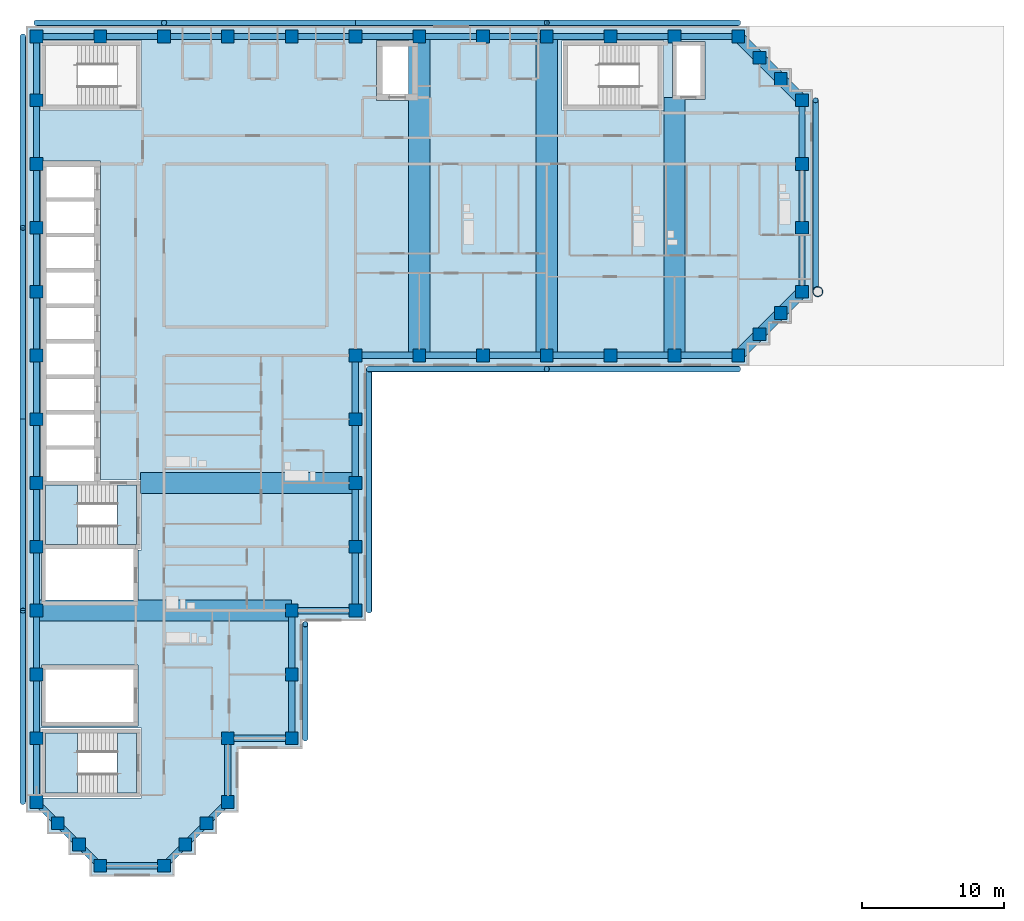
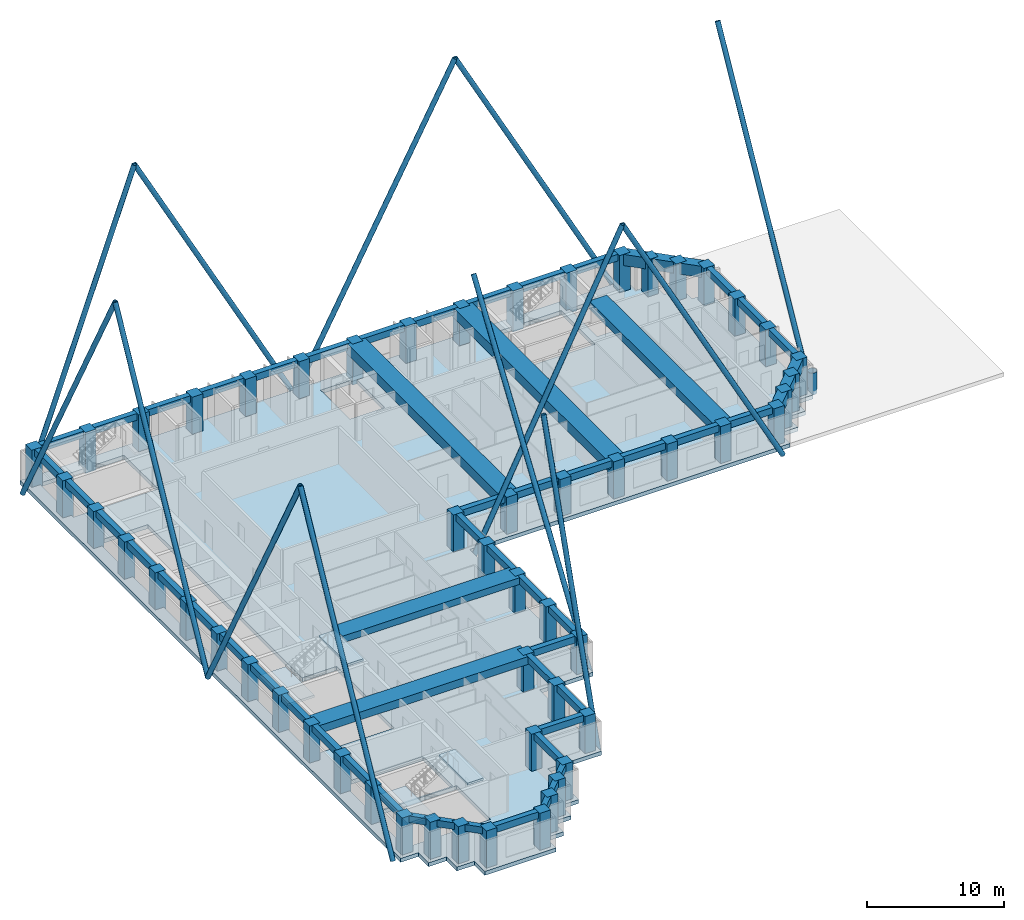
# One storey, part 1 of 11: 59 beams, 54 columns, 14 members, 5 slabs, 2 elements without a shape of their own.
"""IFC4 building model written with IfcOpenShell, lengths in metres."""

from ifc_helpers import new_model, si_unit, direction, frame, origin, origin_2d, place, context, subcontext, project, spatial, polyline, rectangle, hollow_circle, outline, extrude, material, layer, layer_set, material_profile, profile_set, type_object, element, aggregate, save


model = new_model("IFC4")

# Units and contexts
model_context = context("Model", 3, precision=1e-05, world=origin(), true_north=direction((0.0, 1.0)))
body_context = subcontext(model_context, "Body", "Model", "MODEL_VIEW")
ifc_project = project(units=[si_unit("LENGTHUNIT", "METRE"), si_unit("AREAUNIT", "SQUARE_METRE"), si_unit("VOLUMEUNIT", "CUBIC_METRE"), si_unit("PLANEANGLEUNIT", "RADIAN"), si_unit("MASSUNIT", "GRAM", prefix="KILO")], contexts=[model_context])

# Site, building, storey
site_placement = place(None, origin())
site = spatial("IfcSite", under=ifc_project, at=site_placement, CompositionType="ELEMENT")
building_placement = place(site_placement, origin())
building = spatial("IfcBuilding", under=site, at=building_placement, Name="Firuza Court", CompositionType="ELEMENT")
storey_placement = place(building_placement, frame((0.0, 0.0, 186.199951171875)))
storey = spatial("IfcBuildingStorey", under=building, at=storey_placement, Name="L47", CompositionType="ELEMENT", Elevation=186.199951171875)

# Columns
ifc_material_1 = material(Name="Concrete C50/60", Category="concrete")
ifc_material_profile_1 = material_profile(ifc_material_1, rectangle(XDim=0.89990234375, YDim=0.89990234375, at=origin_2d()), Name="RC 900x900")
ifc_profile_set_1 = profile_set([ifc_material_profile_1], Name="Concrete C50/60")
column_type = type_object("IfcColumnType", Name="Tube column RC 900x900 C50/60", PredefinedType="COLUMN", material=ifc_profile_set_1)
for number, where, z_axis, x_axis, name in (
    (1, (4.5, 0.0, -0.349853515625), (0.0, 0.0, 1.0), (1.0, 0.0, 0.0), "Column C-2D L47"),
    (2, (9.0, 0.0, -0.349853515625), (0.0, 0.0, 1.0), (1.0, 0.0, 0.0), "Column C-3D L47"),
    (3, (3.0, 1.5, -0.349853515625), (0.0, 0.0, 1.0), (1.0, 0.0, 0.0), "Column C-SA1 L47"),
    (4, (10.5, 1.5, -0.349853515625), (0.0, 0.0, 1.0), (1.0, 0.0, 0.0), "Column C-SA2 L47"),
    (5, (1.5, 3.0, -0.349853515625), (0.0, 0.0, 1.0), (1.0, 0.0, 0.0), "Column C-SA3 L47"),
    (6, (12.0, 3.0, -0.349853515625), (0.0, 0.0, 1.0), (1.0, 0.0, 0.0), "Column C-SA4 L47"),
    (7, (0.0, 4.5, -0.349853515625), (0.0, 0.0, 1.0), (1.0, 0.0, 0.0), "Column C-1E L47"),
    (8, (13.5, 4.5, -0.349853515625), (0.0, 0.0, 1.0), (1.0, 0.0, 0.0), "Column C-4E L47"),
    (9, (0.0, 9.0, -0.349853515625), (0.0, 0.0, 1.0), (1.0, 0.0, 0.0), "Column C-1F L47"),
    (10, (13.5, 9.0, -0.349853515625), (0.0, 0.0, 1.0), (1.0, 0.0, 0.0), "Column C-4F L47"),
    (11, (18.0, 9.0, -0.349853515625), (0.0, 0.0, 1.0), (1.0, 0.0, 0.0), "Column C-5F L47"),
    (12, (0.0, 13.5, -0.349853515625), (0.0, 0.0, 1.0), (1.0, 0.0, 0.0), "Column C-1G L47"),
    (13, (18.0, 13.5, -0.349853515625), (0.0, 0.0, 1.0), (1.0, 0.0, 0.0), "Column C-5G L47"),
    (14, (0.0, 18.0, -0.349853515625), (0.0, 0.0, 1.0), (1.0, 0.0, 0.0), "Column C-1H L47"),
    (15, (18.0, 18.0, -0.349853515625), (0.0, 0.0, 1.0), (1.0, 0.0, 0.0), "Column C-5H L47"),
    (16, (22.5, 18.0, -0.349853515625), (0.0, 0.0, 1.0), (1.0, 0.0, 0.0), "Column C-6H L47"),
    (17, (0.0, 22.5, -0.349853515625), (0.0, 0.0, 1.0), (1.0, 0.0, 0.0), "Column C-1J L47"),
    (18, (22.5, 22.5, -0.349853515625), (0.0, 0.0, 1.0), (1.0, 0.0, 0.0), "Column C-6J L47"),
    (19, (0.0, 27.0, -0.349853515625), (0.0, 0.0, 1.0), (1.0, 0.0, 0.0), "Column C-1K L47"),
    (20, (22.5, 27.0, -0.349853515625), (0.0, 0.0, 1.0), (1.0, 0.0, 0.0), "Column C-6K L47"),
    (21, (0.0, 31.5, -0.349853515625), (0.0, 0.0, 1.0), (1.0, 0.0, 0.0), "Column C-1L L47"),
    (22, (22.5, 31.5, -0.349853515625), (0.0, 0.0, 1.0), (1.0, 0.0, 0.0), "Column C-6L L47"),
    (23, (0.0, 36.0, -0.349853515625), (0.0, 0.0, 1.0), (1.0, 0.0, 0.0), "Column C-1M L47"),
    (24, (22.5, 36.0, -0.349853515625), (0.0, 0.0, 1.0), (1.0, 0.0, 0.0), "Column C-6M L47"),
    (25, (27.0, 36.0, -0.349853515625), (0.0, 0.0, 1.0), (1.0, 0.0, 0.0), "Column C-7M L47"),
    (26, (31.5, 36.0, -0.349853515625), (0.0, 0.0, 1.0), (1.0, 0.0, 0.0), "Column C-8M L47"),
    (27, (36.0, 36.0, -0.349853515625), (0.0, 0.0, 1.0), (1.0, 0.0, 0.0), "Column C-9M L47"),
    (28, (40.5, 36.0, -0.349853515625), (0.0, 0.0, 1.0), (1.0, 0.0, 0.0), "Column C-10M L47"),
    (29, (45.0, 36.0, -0.349853515625), (0.0, 0.0, 1.0), (1.0, 0.0, 0.0), "Column C-11M L47"),
    (30, (49.5, 36.0, -0.349853515625), (0.0, 0.0, 1.0), (1.0, 0.0, 0.0), "Column C-12M L47"),
    (31, (51.0, 37.5, -0.349853515625), (0.0, 0.0, 1.0), (1.0, 0.0, 0.0), "Column C-SA5 L47"),
    (32, (52.5, 39.0, -0.349853515625), (0.0, 0.0, 1.0), (1.0, 0.0, 0.0), "Column C-SA6 L47"),
    (33, (0.0, 40.5, -0.349853515625), (0.0, 0.0, 1.0), (1.0, 0.0, 0.0), "Column C-1N L47"),
    (34, (54.0, 40.5, -0.349853515625), (0.0, 0.0, 1.0), (1.0, 0.0, 0.0), "Column C-13N L47"),
    (35, (0.0, 45.0, -0.349853515625), (0.0, 0.0, 1.0), (1.0, 0.0, 0.0), "Column C-1P L47"),
    (36, (54.0, 45.0, -0.349853515625), (0.0, 0.0, 1.0), (1.0, 0.0, 0.0), "Column C-13P L47"),
    (37, (0.0, 49.5, -0.349853515625), (0.0, 0.0, 1.0), (1.0, 0.0, 0.0), "Column C-1Q L47"),
    (38, (54.0, 49.5, -0.349853515625), (0.0, 0.0, 1.0), (1.0, 0.0, 0.0), "Column C-13Q L47"),
    (39, (0.0, 54.0, -0.349853515625), (0.0, 0.0, 1.0), (1.0, 0.0, 0.0), "Column C-1R L47"),
    (40, (54.0, 54.0, -0.349853515625), (0.0, 0.0, 1.0), (1.0, 0.0, 0.0), "Column C-13R L47"),
    (41, (52.5, 55.5, -0.349853515625), (0.0, 0.0, 1.0), (1.0, 0.0, 0.0), "Column C-SA7 L47"),
    (42, (51.0, 57.0, -0.349853515625), (0.0, 0.0, 1.0), (1.0, 0.0, 0.0), "Column C-SA8 L47"),
    (43, (0.0, 58.5, -0.349853515625), (0.0, 0.0, 1.0), (1.0, 0.0, 0.0), "Column C-1S L47"),
    (44, (4.5, 58.5, -0.349853515625), (0.0, 0.0, 1.0), (1.0, 0.0, 0.0), "Column C-2S L47"),
    (45, (9.0, 58.5, -0.349853515625), (0.0, 0.0, 1.0), (1.0, 0.0, 0.0), "Column C-3S L47"),
    (46, (13.5, 58.5, -0.349853515625), (0.0, 0.0, 1.0), (1.0, 0.0, 0.0), "Column C-4S L47"),
    (47, (18.0, 58.5, -0.349853515625), (0.0, 0.0, 1.0), (1.0, 0.0, 0.0), "Column C-5S L47"),
    (48, (22.5, 58.5, -0.349853515625), (0.0, 0.0, 1.0), (1.0, 0.0, 0.0), "Column C-6S L47"),
    (49, (27.0, 58.5, -0.349853515625), (0.0, 0.0, 1.0), (1.0, 0.0, 0.0), "Column C-7S L47"),
    (50, (31.5, 58.5, -0.349853515625), (0.0, 0.0, 1.0), (1.0, 0.0, 0.0), "Column C-8S L47"),
    (51, (36.0, 58.5, -0.349853515625), (0.0, 0.0, 1.0), (1.0, 0.0, 0.0), "Column C-9S L47"),
    (52, (40.5, 58.5, -0.349853515625), (0.0, 0.0, 1.0), (1.0, 0.0, 0.0), "Column C-10S L47"),
    (53, (45.0, 58.5, -0.349853515625), (0.0, 0.0, 1.0), (1.0, 0.0, 0.0), "Column C-11S L47"),
    (54, (49.5, 58.5, -0.349853515625), (0.0, 0.0, 1.0), (1.0, 0.0, 0.0), "Column C-12S L47"),
):
    element("IfcColumn", number, at=place(storey_placement, frame(where, z_axis=z_axis, x_axis=x_axis)), inside=storey, type_object=column_type, Name=name, PredefinedType="COLUMN", context=body_context, shape_type="SweptSolid", body=[
        extrude(rectangle(XDim=0.89990234375, YDim=0.89990234375, at=origin_2d()), origin(), (0.0, 0.0, 1.0), 3.64990234375),
    ])

# Beams
ifc_material_2 = material(Name="Concrete C40/50", Category="concrete")
ifc_material_profile_2 = material_profile(ifc_material_2, rectangle(XDim=1.5, YDim=0.60009765625, at=origin_2d()), Name="RC 1500x600")
ifc_profile_set_2 = profile_set([ifc_material_profile_2], Name="Concrete C40/50")
beam_type_1 = type_object("IfcBeamType", Name="Band beam RC 1500x600 C40/50", PredefinedType="BEAM", material=ifc_profile_set_2)
beam_1_placement = place(storey_placement, frame((22.5, 27.0, 3.0), z_axis=(-1.0, 0.0, 0.0), x_axis=(0.0, -1.0, 0.0)))
element("IfcBeam", 55, at=beam_1_placement, inside=storey, type_object=beam_type_1, Name="Band beam FB3 level L48", PredefinedType="BEAM", context=body_context, shape_type="SweptSolid", body=[
    extrude(rectangle(XDim=1.5, YDim=0.60009765625, at=origin_2d()), origin(), (0.0, 0.0, 1.0), 15.14990234375),
])
ifc_material_3 = material(Name="Concrete C40/50", Category="concrete")
ifc_material_profile_3 = material_profile(ifc_material_3, rectangle(XDim=1.5, YDim=0.699951171875, at=origin_2d()), Name="RC 1500x700")
ifc_profile_set_3 = profile_set([ifc_material_profile_3], Name="Concrete C40/50")
beam_type_2 = type_object("IfcBeamType", Name="Band beam RC 1500x700 C40/50", PredefinedType="BEAM", material=ifc_profile_set_3)
beam_2_placement = place(storey_placement, frame((0.0, 18.0, 2.949951171875), z_axis=(1.0, 0.0, 0.0), x_axis=(0.0, 1.0, 0.0)))
element("IfcBeam", 56, at=beam_2_placement, inside=storey, type_object=beam_type_2, Name="Band beam FB1 level L48", PredefinedType="BEAM", context=body_context, shape_type="SweptSolid", body=[
    extrude(rectangle(XDim=1.5, YDim=0.699951171875, at=origin_2d()), origin(), (0.0, 0.0, 1.0), 18.0),
])
beam_3_placement = place(storey_placement, frame((45.0, 36.0, 2.949951171875), z_axis=(0.0, 1.0, 0.0), x_axis=(-1.0, 0.0, 0.0)))
element("IfcBeam", 57, at=beam_3_placement, inside=storey, type_object=beam_type_2, Name="Band beam FB1 level L48", PredefinedType="BEAM", context=body_context, shape_type="SweptSolid", body=[
    extrude(rectangle(XDim=1.5, YDim=0.699951171875, at=origin_2d()), origin(), (0.0, 0.0, 1.0), 18.199951171875),
])
ifc_material_4 = material(Name="Concrete C40/50", Category="concrete")
ifc_material_profile_4 = material_profile(ifc_material_4, rectangle(XDim=1.5, YDim=0.89990234375, at=origin_2d()), Name="RC 1500x900")
ifc_profile_set_4 = profile_set([ifc_material_profile_4], Name="Concrete C40/50")
beam_type_3 = type_object("IfcBeamType", Name="Band beam RC 1500x900 C40/50", PredefinedType="BEAM", material=ifc_profile_set_4)
for number, where, z_axis, x_axis, name in (
    (58, (27.0, 36.0, 2.85009765625), (0.0, 1.0, 0.0), (-1.0, 0.0, 0.0), "Band beam FB2 level L48"),
    (59, (36.0, 36.0, 2.85009765625), (0.0, 1.0, 0.0), (-1.0, 0.0, 0.0), "Band beam FB2 level L48"),
):
    element("IfcBeam", number, at=place(storey_placement, frame(where, z_axis=z_axis, x_axis=x_axis)), inside=storey, type_object=beam_type_3, Name=name, PredefinedType="BEAM", context=body_context, shape_type="SweptSolid", body=[
        extrude(rectangle(XDim=1.5, YDim=0.89990234375, at=origin_2d()), origin(), (0.0, 0.0, 1.0), 22.5),
    ])

# Members
ifc_material_5 = material(Name="Steel S355", Category="steel")
ifc_material_profile_5 = material_profile(ifc_material_5, hollow_circle(Radius=0.203125, WallThickness=0.01611328125, at=origin_2d()), Name="CHS 406.4x16")
ifc_profile_set_5 = profile_set([ifc_material_profile_5], Name="Steel S355")
member_type_1 = type_object("IfcMemberType", Name="Diagrid diagonal CHS 406.4x16 S355", PredefinedType="USERDEFINED", material=ifc_profile_set_5)
member_1_placement = place(storey_placement, frame((18.958251953125, 9.0, -0.599853515625), z_axis=(0.0, 0.304013084061, 0.952667856453), x_axis=(-1.0, 0.0, 0.0)))
element("IfcMember", 60, at=member_1_placement, inside=storey, type_object=member_type_1, Name="Diagrid diagonal L47 to L54", ObjectType="DIAGRID", PredefinedType="USERDEFINED", context=body_context, shape_type="SweptSolid", body=[
    extrude(hollow_circle(Radius=0.203125, WallThickness=0.01611328125, at=origin_2d()), origin(), (0.0, 0.0, 1.0), 26.451904296875),
])
member_2_placement = place(storey_placement, frame((23.458251953125, 18.0, -0.599853515625), z_axis=(0.0, 0.560190339745, 0.828363919576), x_axis=(-1.0, 0.0, 0.0)))
element("IfcMember", 61, at=member_2_placement, inside=storey, type_object=member_type_1, Name="Diagrid diagonal L47 to L54", ObjectType="DIAGRID", PredefinedType="USERDEFINED", context=body_context, shape_type="SweptSolid", body=[
    extrude(hollow_circle(Radius=0.203125, WallThickness=0.01611328125, at=origin_2d()), origin(), (0.0, 0.0, 1.0), 30.42138671875),
])
member_3_placement = place(storey_placement, frame((23.458251953125, 35.041748046875, -0.599853515625), z_axis=(0.445557957476, 0.0, 0.895253096353), x_axis=(0.0, 1.0, 0.0)))
element("IfcMember", 62, at=member_3_placement, inside=storey, type_object=member_type_1, Name="Diagrid diagonal L47 to L54", ObjectType="DIAGRID", PredefinedType="USERDEFINED", context=body_context, shape_type="SweptSolid", body=[
    extrude(hollow_circle(Radius=0.203125, WallThickness=0.01611328125, at=origin_2d()), origin(), (0.0, 0.0, 1.0), 28.1484375),
])
member_4_placement = place(storey_placement, frame((49.5, 35.041748046875, -0.599853515625), z_axis=(-0.472222123468, 0.0, 0.881479589161), x_axis=(0.0, -1.0, 0.0)))
element("IfcMember", 63, at=member_4_placement, inside=storey, type_object=member_type_1, Name="Diagrid diagonal L47 to L54", ObjectType="DIAGRID", PredefinedType="USERDEFINED", context=body_context, shape_type="SweptSolid", body=[
    extrude(hollow_circle(Radius=0.203125, WallThickness=0.01611328125, at=origin_2d()), origin(), (0.0, 0.0, 1.0), 28.588134765625),
])
member_5_placement = place(storey_placement, frame((54.958251953125, 40.5, 0.097900390625), z_axis=(0.0, 0.482571554223, 0.875856549359), x_axis=(-1.0, 0.0, 0.0)))
element("IfcMember", 64, at=member_5_placement, inside=storey, type_object=member_type_1, Name="Diagrid diagonal L47 to L54", ObjectType="DIAGRID", PredefinedType="USERDEFINED", context=body_context, shape_type="SweptSolid", body=[
    extrude(hollow_circle(Radius=0.203125, WallThickness=0.01611328125, at=origin_2d()), origin(), (0.0, 0.0, 1.0), 27.97509765625),
])
for number, where, z_axis, x_axis, name in (
    (65, (49.5, 59.458251953125, -0.599853515625), (-0.472222123468, 0.0, 0.881479589161), (0.0, -1.0, 0.0), "Diagrid diagonal L47 to L54"),
    (66, (22.5, 59.458251953125, -0.599853515625), (0.472222123468, 0.0, 0.881479589161), (0.0, 1.0, 0.0), "Diagrid diagonal L47 to L54"),
    (67, (22.5, 59.458251953125, -0.599853515625), (-0.472222123468, 0.0, 0.881479589161), (0.0, -1.0, 0.0), "Diagrid diagonal L47 to L54"),
):
    element("IfcMember", number, at=place(storey_placement, frame(where, z_axis=z_axis, x_axis=x_axis)), inside=storey, type_object=member_type_1, Name=name, ObjectType="DIAGRID", PredefinedType="USERDEFINED", context=body_context, shape_type="SweptSolid", body=[
        extrude(hollow_circle(Radius=0.203125, WallThickness=0.01611328125, at=origin_2d()), origin(), (0.0, 0.0, 1.0), 28.588134765625),
    ])
member_6_placement = place(storey_placement, frame((0.0, 59.458251953125, -0.599853515625), z_axis=(0.336336974972, 0.0, 0.941741705176), x_axis=(0.0, 1.0, 0.0)))
element("IfcMember", 68, at=member_6_placement, inside=storey, type_object=member_type_1, Name="Diagrid diagonal L47 to L54", ObjectType="DIAGRID", PredefinedType="USERDEFINED", context=body_context, shape_type="SweptSolid", body=[
    extrude(hollow_circle(Radius=0.203125, WallThickness=0.01611328125, at=origin_2d()), origin(), (0.0, 0.0, 1.0), 26.7587890625),
])
for number, where, z_axis, x_axis, name in (
    (69, (-0.958251953125, 58.5, -0.599853515625), (0.0, -0.472222123468, 0.881479589161), (1.0, 0.0, 0.0), "Diagrid diagonal L47 to L54"),
    (70, (-0.958251953125, 31.5, -0.599853515625), (0.0, 0.472222123468, 0.881479589161), (-1.0, 0.0, 0.0), "Diagrid diagonal L47 to L54"),
    (71, (-0.958251953125, 31.5, -0.599853515625), (0.0, -0.472222123468, 0.881479589161), (1.0, 0.0, 0.0), "Diagrid diagonal L47 to L54"),
    (72, (-0.958251953125, 4.5, -0.599853515625), (0.0, 0.472222123468, 0.881479589161), (-1.0, 0.0, 0.0), "Diagrid diagonal L47 to L54"),
):
    element("IfcMember", number, at=place(storey_placement, frame(where, z_axis=z_axis, x_axis=x_axis)), inside=storey, type_object=member_type_1, Name=name, ObjectType="DIAGRID", PredefinedType="USERDEFINED", context=body_context, shape_type="SweptSolid", body=[
        extrude(hollow_circle(Radius=0.203125, WallThickness=0.01611328125, at=origin_2d()), origin(), (0.0, 0.0, 1.0), 28.588134765625),
    ])
ifc_material_6 = material(Name="Steel S355", Category="steel")
ifc_material_profile_6 = material_profile(ifc_material_6, hollow_circle(Radius=0.35546875, WallThickness=0.030029296875, at=origin_2d()), Name="CHS 711x30")
ifc_profile_set_6 = profile_set([ifc_material_profile_6], Name="Steel S355")
member_type_2 = type_object("IfcMemberType", Name="Diagrid node CHS 711x30 S355", PredefinedType="USERDEFINED", material=ifc_profile_set_6)
member_7_placement = place(storey_placement, frame((55.1201171875, 40.5, -0.349853515625), z_axis=(0.0, 0.0, 1.0), x_axis=(1.0, 0.0, 0.0)))
element("IfcMember", 73, at=member_7_placement, inside=storey, type_object=member_type_2, Name="Diagrid node level L47", ObjectType="DIAGRID NODE", PredefinedType="USERDEFINED", context=body_context, shape_type="SweptSolid", body=[
    extrude(hollow_circle(Radius=0.35546875, WallThickness=0.030029296875, at=origin_2d()), origin(), (0.0, 0.0, 1.0), 1.949951171875),
])

# Beams
ifc_material_7 = material(Name="Concrete C40/50", Category="concrete")
ifc_material_profile_7 = material_profile(ifc_material_7, rectangle(XDim=0.449951171875, YDim=0.60009765625, at=origin_2d()), Name="RC 450x600")
ifc_profile_set_7 = profile_set([ifc_material_profile_7], Name="Concrete C40/50")
beam_type_4 = type_object("IfcBeamType", Name="Spandrel beam RC 450x600 C40/50", PredefinedType="BEAM", material=ifc_profile_set_7)
beam_4_placement = place(storey_placement, frame((0.0, 4.5, 3.0), z_axis=(0.707106781187, -0.707106781187, 0.0), x_axis=(0.707106781187, 0.707106781187, 0.0)))
element("IfcBeam", 74, at=beam_4_placement, inside=storey, type_object=beam_type_4, Name="Spandrel beam SP15 level L48", PredefinedType="BEAM", context=body_context, shape_type="SweptSolid", body=[
    extrude(rectangle(XDim=0.449951171875, YDim=0.60009765625, at=origin_2d()), origin(), (0.0, 0.0, 1.0), 2.121337890625),
])
for number, where, z_axis, x_axis, name in (
    (75, (0.0, 9.0, 3.0), (0.0, -1.0, 0.0), (1.0, 0.0, 0.0), "Spandrel beam SP15 level L48"),
    (76, (0.0, 13.5, 3.0), (0.0, -1.0, 0.0), (1.0, 0.0, 0.0), "Spandrel beam SP15 level L48"),
    (77, (0.0, 18.0, 3.0), (0.0, -1.0, 0.0), (1.0, 0.0, 0.0), "Spandrel beam SP15 level L48"),
    (78, (0.0, 22.5, 3.0), (0.0, -1.0, 0.0), (1.0, 0.0, 0.0), "Spandrel beam SP15 level L48"),
    (79, (0.0, 27.0, 3.0), (0.0, -1.0, 0.0), (1.0, 0.0, 0.0), "Spandrel beam SP15 level L48"),
    (80, (0.0, 31.5, 3.0), (0.0, -1.0, 0.0), (1.0, 0.0, 0.0), "Spandrel beam SP15 level L48"),
    (81, (0.0, 36.0, 3.0), (0.0, -1.0, 0.0), (1.0, 0.0, 0.0), "Spandrel beam SP15 level L48"),
    (82, (0.0, 40.5, 3.0), (0.0, -1.0, 0.0), (1.0, 0.0, 0.0), "Spandrel beam SP15 level L48"),
    (83, (0.0, 45.0, 3.0), (0.0, -1.0, 0.0), (1.0, 0.0, 0.0), "Spandrel beam SP15 level L48"),
    (84, (0.0, 49.5, 3.0), (0.0, -1.0, 0.0), (1.0, 0.0, 0.0), "Spandrel beam SP15 level L48"),
    (85, (0.0, 54.0, 3.0), (0.0, -1.0, 0.0), (1.0, 0.0, 0.0), "Spandrel beam SP15 level L48"),
    (86, (0.0, 58.5, 3.0), (0.0, -1.0, 0.0), (1.0, 0.0, 0.0), "Spandrel beam SP15 level L48"),
):
    element("IfcBeam", number, at=place(storey_placement, frame(where, z_axis=z_axis, x_axis=x_axis)), inside=storey, type_object=beam_type_4, Name=name, PredefinedType="BEAM", context=body_context, shape_type="SweptSolid", body=[
        extrude(rectangle(XDim=0.449951171875, YDim=0.60009765625, at=origin_2d()), origin(), (0.0, 0.0, 1.0), 4.5),
    ])
for number, where, z_axis, x_axis, name in (
    (87, (1.5, 3.0, 3.0), (0.707106781187, -0.707106781187, 0.0), (0.707106781187, 0.707106781187, 0.0), "Spandrel beam SP15 level L48"),
    (88, (3.0, 1.5, 3.0), (0.707106781187, -0.707106781187, 0.0), (0.707106781187, 0.707106781187, 0.0), "Spandrel beam SP15 level L48"),
):
    element("IfcBeam", number, at=place(storey_placement, frame(where, z_axis=z_axis, x_axis=x_axis)), inside=storey, type_object=beam_type_4, Name=name, PredefinedType="BEAM", context=body_context, shape_type="SweptSolid", body=[
        extrude(rectangle(XDim=0.449951171875, YDim=0.60009765625, at=origin_2d()), origin(), (0.0, 0.0, 1.0), 2.121337890625),
    ])
for number, where, z_axis, x_axis, name in (
    (89, (4.5, 0.0, 3.0), (1.0, 0.0, 0.0), (0.0, 1.0, 0.0), "Spandrel beam SP15 level L48"),
    (90, (4.5, 58.5, 3.0), (-1.0, 0.0, 0.0), (0.0, -1.0, 0.0), "Spandrel beam SP15 level L48"),
):
    element("IfcBeam", number, at=place(storey_placement, frame(where, z_axis=z_axis, x_axis=x_axis)), inside=storey, type_object=beam_type_4, Name=name, PredefinedType="BEAM", context=body_context, shape_type="SweptSolid", body=[
        extrude(rectangle(XDim=0.449951171875, YDim=0.60009765625, at=origin_2d()), origin(), (0.0, 0.0, 1.0), 4.5),
    ])
beam_5_placement = place(storey_placement, frame((9.0, 0.0, 3.0), z_axis=(0.707106781187, 0.707106781187, 0.0), x_axis=(-0.707106781187, 0.707106781187, 0.0)))
element("IfcBeam", 91, at=beam_5_placement, inside=storey, type_object=beam_type_4, Name="Spandrel beam SP15 level L48", PredefinedType="BEAM", context=body_context, shape_type="SweptSolid", body=[
    extrude(rectangle(XDim=0.449951171875, YDim=0.60009765625, at=origin_2d()), origin(), (0.0, 0.0, 1.0), 2.121337890625),
])
beam_6_placement = place(storey_placement, frame((9.0, 58.5, 3.0), z_axis=(-1.0, 0.0, 0.0), x_axis=(0.0, -1.0, 0.0)))
element("IfcBeam", 92, at=beam_6_placement, inside=storey, type_object=beam_type_4, Name="Spandrel beam SP15 level L48", PredefinedType="BEAM", context=body_context, shape_type="SweptSolid", body=[
    extrude(rectangle(XDim=0.449951171875, YDim=0.60009765625, at=origin_2d()), origin(), (0.0, 0.0, 1.0), 4.5),
])
for number, where, z_axis, x_axis, name in (
    (93, (10.5, 1.5, 3.0), (0.707106781187, 0.707106781187, 0.0), (-0.707106781187, 0.707106781187, 0.0), "Spandrel beam SP15 level L48"),
    (94, (12.0, 3.0, 3.0), (0.707106781187, 0.707106781187, 0.0), (-0.707106781187, 0.707106781187, 0.0), "Spandrel beam SP15 level L48"),
):
    element("IfcBeam", number, at=place(storey_placement, frame(where, z_axis=z_axis, x_axis=x_axis)), inside=storey, type_object=beam_type_4, Name=name, PredefinedType="BEAM", context=body_context, shape_type="SweptSolid", body=[
        extrude(rectangle(XDim=0.449951171875, YDim=0.60009765625, at=origin_2d()), origin(), (0.0, 0.0, 1.0), 2.121337890625),
    ])
for number, where, z_axis, x_axis, name in (
    (95, (13.5, 4.5, 3.0), (0.0, 1.0, 0.0), (-1.0, 0.0, 0.0), "Spandrel beam SP15 level L48"),
    (96, (13.5, 9.0, 3.0), (1.0, 0.0, 0.0), (0.0, 1.0, 0.0), "Spandrel beam SP15 level L48"),
    (97, (13.5, 58.5, 3.0), (-1.0, 0.0, 0.0), (0.0, -1.0, 0.0), "Spandrel beam SP15 level L48"),
    (98, (18.0, 9.0, 3.0), (0.0, 1.0, 0.0), (-1.0, 0.0, 0.0), "Spandrel beam SP15 level L48"),
    (99, (18.0, 13.5, 3.0), (0.0, 1.0, 0.0), (-1.0, 0.0, 0.0), "Spandrel beam SP15 level L48"),
    (100, (18.0, 18.0, 3.0), (1.0, 0.0, 0.0), (0.0, 1.0, 0.0), "Spandrel beam SP15 level L48"),
    (101, (18.0, 58.5, 3.0), (-1.0, 0.0, 0.0), (0.0, -1.0, 0.0), "Spandrel beam SP15 level L48"),
    (102, (22.5, 18.0, 3.0), (0.0, 1.0, 0.0), (-1.0, 0.0, 0.0), "Spandrel beam SP15 level L48"),
    (103, (22.5, 22.5, 3.0), (0.0, 1.0, 0.0), (-1.0, 0.0, 0.0), "Spandrel beam SP15 level L48"),
    (104, (22.5, 27.0, 3.0), (0.0, 1.0, 0.0), (-1.0, 0.0, 0.0), "Spandrel beam SP15 level L48"),
    (105, (22.5, 31.5, 3.0), (0.0, 1.0, 0.0), (-1.0, 0.0, 0.0), "Spandrel beam SP15 level L48"),
    (106, (22.5, 36.0, 3.0), (1.0, 0.0, 0.0), (0.0, 1.0, 0.0), "Spandrel beam SP15 level L48"),
    (107, (22.5, 58.5, 3.0), (-1.0, 0.0, 0.0), (0.0, -1.0, 0.0), "Spandrel beam SP15 level L48"),
    (108, (27.0, 36.0, 3.0), (1.0, 0.0, 0.0), (0.0, 1.0, 0.0), "Spandrel beam SP15 level L48"),
    (109, (27.0, 58.5, 3.0), (-1.0, 0.0, 0.0), (0.0, -1.0, 0.0), "Spandrel beam SP15 level L48"),
    (110, (31.5, 36.0, 3.0), (1.0, 0.0, 0.0), (0.0, 1.0, 0.0), "Spandrel beam SP15 level L48"),
    (111, (31.5, 58.5, 3.0), (-1.0, 0.0, 0.0), (0.0, -1.0, 0.0), "Spandrel beam SP15 level L48"),
    (112, (36.0, 36.0, 3.0), (1.0, 0.0, 0.0), (0.0, 1.0, 0.0), "Spandrel beam SP15 level L48"),
    (113, (36.0, 58.5, 3.0), (-1.0, 0.0, 0.0), (0.0, -1.0, 0.0), "Spandrel beam SP15 level L48"),
    (114, (40.5, 36.0, 3.0), (1.0, 0.0, 0.0), (0.0, 1.0, 0.0), "Spandrel beam SP15 level L48"),
    (115, (40.5, 58.5, 3.0), (-1.0, 0.0, 0.0), (0.0, -1.0, 0.0), "Spandrel beam SP15 level L48"),
    (116, (45.0, 36.0, 3.0), (1.0, 0.0, 0.0), (0.0, 1.0, 0.0), "Spandrel beam SP15 level L48"),
    (117, (45.0, 58.5, 3.0), (-1.0, 0.0, 0.0), (0.0, -1.0, 0.0), "Spandrel beam SP15 level L48"),
    (118, (49.5, 58.5, 3.0), (-1.0, 0.0, 0.0), (0.0, -1.0, 0.0), "Spandrel beam SP15 level L48"),
    (119, (54.0, 40.5, 3.0), (0.0, 1.0, 0.0), (-1.0, 0.0, 0.0), "Spandrel beam SP15 level L48"),
    (120, (54.0, 45.0, 3.0), (0.0, 1.0, 0.0), (-1.0, 0.0, 0.0), "Spandrel beam SP15 level L48"),
    (121, (54.0, 49.5, 3.0), (0.0, 1.0, 0.0), (-1.0, 0.0, 0.0), "Spandrel beam SP15 level L48"),
):
    element("IfcBeam", number, at=place(storey_placement, frame(where, z_axis=z_axis, x_axis=x_axis)), inside=storey, type_object=beam_type_4, Name=name, PredefinedType="BEAM", context=body_context, shape_type="SweptSolid", body=[
        extrude(rectangle(XDim=0.449951171875, YDim=0.60009765625, at=origin_2d()), origin(), (0.0, 0.0, 1.0), 4.5),
    ])
ifc_material_8 = material(Name="Concrete C60/75", Category="concrete")
ifc_material_profile_8 = material_profile(ifc_material_8, rectangle(XDim=0.800048828125, YDim=1.0, at=origin_2d()), Name="RC 800x1000")
ifc_profile_set_8 = profile_set([ifc_material_profile_8], Name="Concrete C60/75")
beam_type_5 = type_object("IfcBeamType", Name="Transfer girder RC 800x1000 C60/75", PredefinedType="USERDEFINED", material=ifc_profile_set_8)
for number, where, z_axis, x_axis, name in (
    (122, (49.5, 36.0, 2.800048828125), (0.707106781187, 0.707106781187, 0.0), (-0.707106781187, 0.707106781187, 0.0), "Transfer girder TG2 level L48"),
    (123, (51.0, 37.5, 2.800048828125), (0.707106781187, 0.707106781187, 0.0), (-0.707106781187, 0.707106781187, 0.0), "Transfer girder TG2 level L48"),
    (124, (51.0, 57.0, 2.800048828125), (-0.707106781187, 0.707106781187, 0.0), (-0.707106781187, -0.707106781187, 0.0), "Transfer girder TG2 level L48"),
    (125, (52.5, 39.0, 2.800048828125), (0.707106781187, 0.707106781187, 0.0), (-0.707106781187, 0.707106781187, 0.0), "Transfer girder TG2 level L48"),
    (126, (52.5, 55.5, 2.800048828125), (-0.707106781187, 0.707106781187, 0.0), (-0.707106781187, -0.707106781187, 0.0), "Transfer girder TG2 level L48"),
    (127, (54.0, 54.0, 2.800048828125), (-0.707106781187, 0.707106781187, 0.0), (-0.707106781187, -0.707106781187, 0.0), "Transfer girder TG2 level L48"),
):
    element("IfcBeam", number, at=place(storey_placement, frame(where, z_axis=z_axis, x_axis=x_axis)), inside=storey, type_object=beam_type_5, Name=name, ObjectType="TRANSFER GIRDER", PredefinedType="USERDEFINED", context=body_context, shape_type="SweptSolid", body=[
        extrude(rectangle(XDim=0.800048828125, YDim=1.0, at=origin_2d()), origin(), (0.0, 0.0, 1.0), 2.121337890625),
    ])

# Slab
ifc_material_9 = material(Name="Concrete C40/50", Category="concrete")
ifc_layer_1 = layer(ifc_material_9, 0.35009765625)
ifc_layer_set_1 = layer_set([ifc_layer_1], Name="Concrete C40/50")
slab_type_1 = type_object("IfcSlabType", Name="Floor slab 350 C40/50", PredefinedType="FLOOR", material=ifc_layer_set_1)
slab_1_placement = place(storey_placement, frame((0.0, 0.0, -0.349853515625)))
element("IfcSlab", 128, at=slab_1_placement, inside=storey, type_object=slab_type_1, Name="Floor slab L47", PredefinedType="FLOOR", context=body_context, shape_type="SweptSolid", body=[
    extrude(outline(polyline([(-0.75, 59.25), (50.25, 59.25), (50.25, 57.75), (51.75, 57.75), (51.75, 56.25), (53.25, 56.25), (53.25, 54.75), (54.75, 54.75), (54.75, 39.75), (53.25, 39.75), (53.25, 38.25), (51.75, 38.25), (51.75, 36.75), (50.25, 36.75), (50.25, 35.25), (23.25, 35.25), (23.25, 17.25), (18.75, 17.25), (18.75, 8.25), (14.25, 8.25), (14.25, 3.75), (12.75, 3.75), (12.75, 2.25), (11.25, 2.25), (11.25, 0.75), (9.75, 0.75), (9.75, -0.75), (3.75, -0.75), (3.75, 0.75), (2.25, 0.75), (2.25, 2.25), (0.75, 2.25), (0.75, 3.75), (-0.75, 3.75), (-0.75, 59.25)]), holes=[polyline([(0.27490234375, 29.72509765625), (0.27490234375, 29.27490234375), (0.27490234375, 27.22509765625), (0.27490234375, 26.77490234375), (0.27490234375, 22.27490234375), (0.35009765625, 22.27490234375), (0.35009765625, 18.35009765625), (7.14990234375, 18.35009765625), (7.14990234375, 22.27490234375), (7.425048828125, 22.27490234375), (7.425048828125, 27.22509765625), (4.52490234375, 27.22509765625), (4.52490234375, 29.27490234375), (4.52490234375, 29.72509765625), (4.52490234375, 31.77490234375), (4.52490234375, 32.22509765625), (4.52490234375, 34.27490234375), (4.52490234375, 34.72509765625), (4.52490234375, 36.77490234375), (4.52490234375, 37.22509765625), (4.52490234375, 39.27490234375), (4.52490234375, 39.72509765625), (4.52490234375, 41.77490234375), (4.52490234375, 42.22509765625), (4.52490234375, 44.27490234375), (4.52490234375, 44.72509765625), (4.52490234375, 46.77490234375), (4.52490234375, 47.22509765625), (4.52490234375, 49.72509765625), (0.27490234375, 49.72509765625), (0.27490234375, 47.22509765625), (0.27490234375, 46.77490234375), (0.27490234375, 44.72509765625), (0.27490234375, 44.27490234375), (0.27490234375, 42.22509765625), (0.27490234375, 41.77490234375), (0.27490234375, 39.72509765625), (0.27490234375, 39.27490234375), (0.27490234375, 37.22509765625), (0.27490234375, 36.77490234375), (0.27490234375, 34.72509765625), (0.27490234375, 34.27490234375), (0.27490234375, 32.22509765625), (0.27490234375, 31.77490234375), (0.27490234375, 29.72509765625)]), polyline([(7.425048828125, 9.72509765625), (0.27490234375, 9.72509765625), (0.27490234375, 4.77490234375), (7.425048828125, 4.77490234375), (7.425048828125, 9.72509765625)]), polyline([(7.14990234375, 14.14990234375), (0.35009765625, 14.14990234375), (0.35009765625, 9.85009765625), (7.14990234375, 9.85009765625), (7.14990234375, 14.14990234375)]), polyline([(7.425048828125, 58.22509765625), (0.27490234375, 58.22509765625), (0.27490234375, 53.27490234375), (7.425048828125, 53.27490234375), (7.425048828125, 58.22509765625)]), polyline([(44.22509765625, 58.22509765625), (37.074951171875, 58.22509765625), (37.074951171875, 53.27490234375), (44.22509765625, 53.27490234375), (44.22509765625, 58.22509765625)]), polyline([(26.925048828125, 53.97509765625), (26.925048828125, 58.22509765625), (23.97509765625, 58.22509765625), (23.97509765625, 53.97509765625), (26.925048828125, 53.97509765625)]), polyline([(47.14990234375, 54.050048828125), (47.14990234375, 58.14990234375), (44.85009765625, 58.14990234375), (44.85009765625, 54.050048828125), (47.14990234375, 54.050048828125)])]), origin(), (0.0, 0.0, 1.0), 0.349853515625),
])

# Stair, slabs
ifc_material_10 = material(Name="Concrete C40/50 precast", Category="concrete")
stair_type = type_object("IfcStairType", Name="Stair 1350 x 3600 2 flights", PredefinedType="HALF_TURN_STAIR", material=ifc_material_10)
stair_1_placement = place(storey_placement, origin())
stair_1 = element("IfcStair", 129, at=stair_1_placement, inside=storey, type_object=stair_type, Name="Stair 2 L47", PredefinedType="HALF_TURN_STAIR")
ifc_material_11 = material(Name="Concrete C40/50 precast", Category="concrete")
ifc_layer_2 = layer(ifc_material_11, 0.199951171875)
ifc_layer_set_2 = layer_set([ifc_layer_2], Name="Concrete C40/50 precast")
slab_type_2 = type_object("IfcSlabType", Name="Stair landing 200", PredefinedType="LANDING", material=ifc_layer_set_2)
slab_2_placement = place(storey_placement, frame((0.0, 0.0, 1.60009765625)))
slab_2 = element("IfcSlab", 130, at=slab_2_placement, type_object=slab_type_2, Name="S2 landing 1", PredefinedType="LANDING", context=body_context, shape_type="SweptSolid", body=[
    extrude(outline(polyline([(2.89990234375, 22.64990234375), (2.89990234375, 26.85009765625), (0.64990234375, 26.85009765625), (0.64990234375, 22.64990234375), (2.89990234375, 22.64990234375)])), origin(), (0.0, 0.0, 1.0), 0.199951171875),
])
slab_3_placement = place(storey_placement, frame((0.0, 0.0, 3.400146484375)))
slab_3 = element("IfcSlab", 131, at=slab_3_placement, type_object=slab_type_2, Name="S2 landing 2", PredefinedType="LANDING", context=body_context, shape_type="SweptSolid", body=[
    extrude(outline(polyline([(7.050048828125, 22.64990234375), (7.050048828125, 26.85009765625), (5.699951171875, 26.85009765625), (5.699951171875, 22.64990234375), (7.050048828125, 22.64990234375)])), origin(), (0.0, 0.0, 1.0), 0.199951171875),
])
aggregate(stair_1, [slab_2, slab_3])

stair_2_placement = place(storey_placement, origin())
stair_2 = element("IfcStair", 132, at=stair_2_placement, inside=storey, type_object=stair_type, Name="Stair 5 L47", PredefinedType="HALF_TURN_STAIR")
slab_4_placement = place(storey_placement, frame((0.0, 0.0, 1.60009765625)))
slab_4 = element("IfcSlab", 133, at=slab_4_placement, type_object=slab_type_2, Name="S5 landing 1", PredefinedType="LANDING", context=body_context, shape_type="SweptSolid", body=[
    extrude(outline(polyline([(2.89990234375, 5.14990234375), (2.89990234375, 9.35009765625), (0.64990234375, 9.35009765625), (0.64990234375, 5.14990234375), (2.89990234375, 5.14990234375)])), origin(), (0.0, 0.0, 1.0), 0.199951171875),
])
slab_5_placement = place(storey_placement, frame((0.0, 0.0, 3.400146484375)))
slab_5 = element("IfcSlab", 134, at=slab_5_placement, type_object=slab_type_2, Name="S5 landing 2", PredefinedType="LANDING", context=body_context, shape_type="SweptSolid", body=[
    extrude(outline(polyline([(7.050048828125, 5.14990234375), (7.050048828125, 9.35009765625), (5.699951171875, 9.35009765625), (5.699951171875, 5.14990234375), (7.050048828125, 5.14990234375)])), origin(), (0.0, 0.0, 1.0), 0.199951171875),
])
aggregate(stair_2, [slab_4, slab_5])

save(model, "model.ifc")
